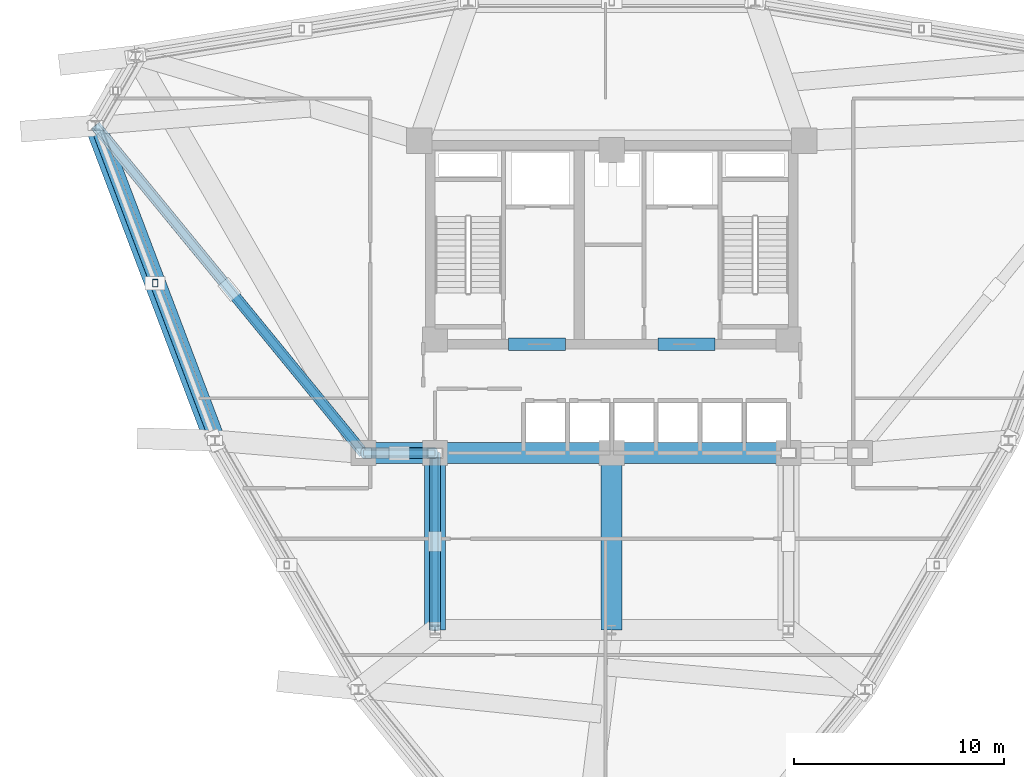
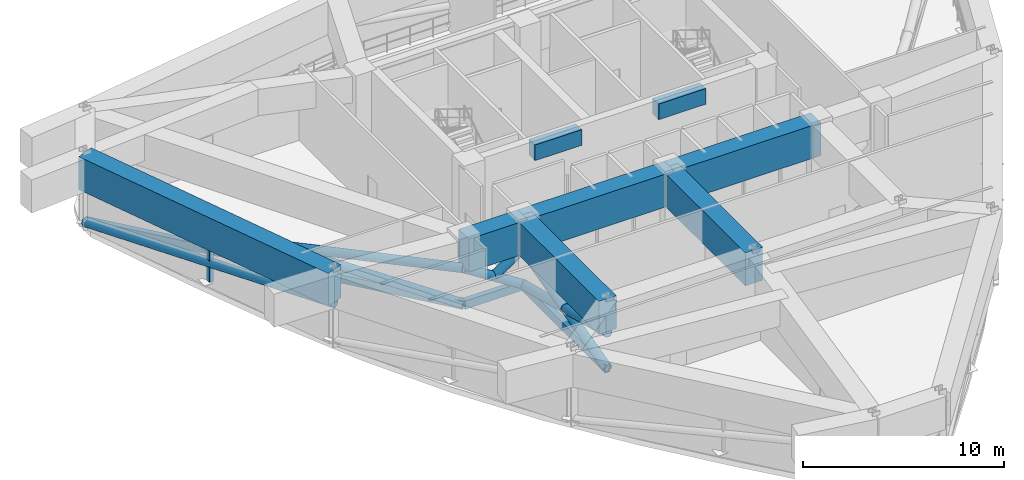
# One storey, part 3 of 13: 12 members, 8 beams.
"""IFC4 building model written with IfcOpenShell, lengths in metres."""

from ifc_helpers import new_model, si_unit, derived_unit, direction, frame, origin, origin_2d, place, context, subcontext, project, spatial, rectangle, hollow_rectangle, hollow_circle, extrude, source, transform, mapped, material, material_profile, profile_set, type_object, element, save


model = new_model("IFC4")

# Units and contexts
model_context = context("Model", 3, precision=1e-05, world=origin(), true_north=direction((0.0, 1.0)))
body_context = subcontext(model_context, "Body", "Model", "MODEL_VIEW")
ifc_project = project(units=[si_unit("LENGTHUNIT", "METRE"), si_unit("AREAUNIT", "SQUARE_METRE"), si_unit("VOLUMEUNIT", "CUBIC_METRE"), si_unit("PLANEANGLEUNIT", "RADIAN"), si_unit("MASSUNIT", "GRAM", prefix="KILO"), derived_unit("THERMALTRANSMITTANCEUNIT", [(si_unit("POWERUNIT", "WATT"), 1), (si_unit("LENGTHUNIT", "METRE"), -2), (si_unit("THERMODYNAMICTEMPERATUREUNIT", "KELVIN"), -1)])], contexts=[model_context])

# Site, building, storey
site_placement = place(None, origin())
site = spatial("IfcSite", under=ifc_project, at=site_placement, CompositionType="ELEMENT")
building_placement = place(site_placement, origin())
building = spatial("IfcBuilding", under=site, at=building_placement, Name="Korsvarv Bourse and Concert Hall", CompositionType="ELEMENT")
storey_placement = place(building_placement, frame((0.0, 0.0, 131.39990234375)))
storey = spatial("IfcBuildingStorey", under=building, at=storey_placement, Name="L33", CompositionType="ELEMENT", Elevation=131.39990234375)

# Beams
ifc_material_1 = material(Name="Concrete C55/67", Category="concrete")
ifc_material_profile_1 = material_profile(ifc_material_1, rectangle(XDim=0.60009765625, YDim=0.949951171875, at=origin_2d()), Name="RC-BM 600x950")
ifc_profile_set_1 = profile_set([ifc_material_profile_1], Name="Concrete C55/67")
beam_type_1 = type_object("IfcBeamType", Name="BM-CPL", PredefinedType="LINTEL", material=ifc_profile_set_1)
shared_shape_1 = source(origin(), body_context, "Body", "SweptSolid", [
    extrude(rectangle(XDim=0.60009765625, YDim=0.949951171875, at=origin_2d()), origin(), (0.0, 0.0, 1.0), 2.699951171875),
])
for number, where, z_axis, x_axis, name in (
    (1, (31.10009765625, 37.574951171875, 4.125), (1.0, 0.0, 0.0), (0.0, 1.0, 0.0), "L33 Core Coupling Beam West"),
    (2, (38.199951171875, 37.574951171875, 4.125), (1.0, 0.0, 0.0), (0.0, 1.0, 0.0), "L33 Core Coupling Beam East"),
):
    element("IfcBeam", number, at=place(storey_placement, frame(where, z_axis=z_axis, x_axis=x_axis)), inside=storey, type_object=beam_type_1, Name=name, PredefinedType="LINTEL", context=body_context, shape_type="MappedRepresentation", body=[
        mapped(shared_shape_1, transform((0.0, 0.0, 0.0), scale=1.0)),
    ])
ifc_material_2 = material(Name="Concrete C60/75", Category="concrete")
ifc_material_profile_2 = material_profile(ifc_material_2, rectangle(XDim=1.0, YDim=2.0, at=origin_2d()), Name="RC-BM 1000x2000")
ifc_profile_set_2 = profile_set([ifc_material_profile_2], Name="Concrete C60/75")
beam_type_2 = type_object("IfcBeamType", Name="BM-TR1", PredefinedType="BEAM", material=ifc_profile_set_2)
shared_shape_2 = source(origin(), body_context, "Body", "SweptSolid", [
    extrude(rectangle(XDim=1.0, YDim=2.0, at=origin_2d()), origin(), (0.0, 0.0, 1.0), 8.39990234375),
])
for number, where, z_axis, x_axis, name in (
    (3, (27.60009765625, 32.39990234375, 3.570068359375), (1.0, 0.0, 0.0), (0.0, 1.0, 0.0), "L33 beam B-TR1"),
    (4, (36.0, 32.39990234375, 3.570068359375), (1.0, 0.0, 0.0), (0.0, 1.0, 0.0), "L33 beam B-TR1"),
    (5, (27.60009765625, 24.0, 3.570068359375), (0.0, 1.0, 0.0), (-1.0, 0.0, 0.0), "L33 beam B-TR1"),
    (6, (36.0, 24.0, 3.570068359375), (0.0, 1.0, 0.0), (-1.0, 0.0, 0.0), "L33 beam B-TR1"),
):
    element("IfcBeam", number, at=place(storey_placement, frame(where, z_axis=z_axis, x_axis=x_axis)), inside=storey, type_object=beam_type_2, Name=name, PredefinedType="BEAM", context=body_context, shape_type="MappedRepresentation", body=[
        mapped(shared_shape_2, transform((0.0, 0.0, 0.0), scale=1.0)),
    ])
shared_shape_3 = source(origin(), body_context, "Body", "SweptSolid", [
    extrude(rectangle(XDim=1.0, YDim=2.0, at=origin_2d()), origin(), (0.0, 0.0, 1.0), 3.400146484375),
])
beam_1_placement = place(storey_placement, frame((24.199951171875, 32.39990234375, 3.570068359375), z_axis=(1.0, 0.0, 0.0), x_axis=(0.0, 1.0, 0.0)))
element("IfcBeam", 7, at=beam_1_placement, inside=storey, type_object=beam_type_2, Name="L33 beam B-TR1", PredefinedType="BEAM", context=body_context, shape_type="MappedRepresentation", body=[
    mapped(shared_shape_3, transform((0.0, 0.0, 0.0), scale=1.0)),
])

# Members
ifc_material_3 = material(Name="Steel S460", Category="steel")
ifc_material_profile_3 = material_profile(ifc_material_3, hollow_rectangle(XDim=0.300048828125, YDim=0.5, WallThickness=0.02001953125, at=origin_2d()), Name="RHS 500x300x20")
ifc_profile_set_3 = profile_set([ifc_material_profile_3], Name="Steel S460")
member_type_1 = type_object("IfcMemberType", Name="MEM-RHS500", PredefinedType="CHORD", material=ifc_profile_set_3)
shared_shape_4 = source(origin(), body_context, "Body", "SweptSolid", [
    extrude(hollow_rectangle(XDim=0.300048828125, YDim=0.5, WallThickness=0.02001953125, at=origin_2d()), origin(), (0.0, 0.0, 1.0), 3.400146484375),
])
member_1_placement = place(storey_placement, frame((27.60009765625, 32.39990234375, 0.35009765625), z_axis=(-1.0, 0.0, 0.0), x_axis=(0.0, -1.0, 0.0)))
element("IfcMember", 8, at=member_1_placement, inside=storey, type_object=member_type_1, Name="L33 Outrigger Truss W1 Bottom Chord", PredefinedType="CHORD", context=body_context, shape_type="MappedRepresentation", body=[
    mapped(shared_shape_4, transform((0.0, 0.0, 0.0), scale=1.0)),
])
shared_shape_5 = source(origin(), body_context, "Body", "SweptSolid", [
    extrude(hollow_rectangle(XDim=0.300048828125, YDim=0.5, WallThickness=0.02001953125, at=origin_2d()), origin(), (0.0, 0.0, 1.0), 8.39990234375),
])
member_2_placement = place(storey_placement, frame((27.60009765625, 32.39990234375, 0.35009765625), z_axis=(0.0, -1.0, 0.0), x_axis=(1.0, 0.0, 0.0)))
element("IfcMember", 9, at=member_2_placement, inside=storey, type_object=member_type_1, Name="L33 Outrigger Truss S1 Bottom Chord", PredefinedType="CHORD", context=body_context, shape_type="MappedRepresentation", body=[
    mapped(shared_shape_5, transform((0.0, 0.0, 0.0), scale=1.0)),
])

# Beam
shared_shape_6 = source(origin(), body_context, "Body", "SweptSolid", [
    extrude(rectangle(XDim=1.0, YDim=2.0, at=origin_2d()), origin(), (0.0, 0.0, 1.0), 16.0146484375),
])
beam_2_placement = place(storey_placement, frame((11.458251953125, 47.966064453125, 3.570068359375), z_axis=(0.354515902653, -0.93504998517, 0.0), x_axis=(0.93504998517, 0.354515902653, 0.0)))
element("IfcBeam", 10, at=beam_2_placement, inside=storey, type_object=beam_type_2, Name="L33 beam B-TR1", PredefinedType="BEAM", context=body_context, shape_type="MappedRepresentation", body=[
    mapped(shared_shape_6, transform((0.0, 0.0, 0.0), scale=1.0)),
])

# Members
ifc_material_profile_4 = material_profile(ifc_material_3, hollow_circle(Radius=0.25390625, WallThickness=0.02001953125, at=origin_2d()), Name="CHS 508x20")
ifc_profile_set_4 = profile_set([ifc_material_profile_4], Name="Steel S460")
member_type_2 = type_object("IfcMemberType", Name="MEM-CHS508", PredefinedType="BRACE", material=ifc_profile_set_4)
shared_shape_7 = source(origin(), body_context, "Body", "SweptSolid", [
    extrude(hollow_circle(Radius=0.25390625, WallThickness=0.02001953125, at=origin_2d()), origin(), (0.0, 0.0, 1.0), 4.033447265625),
])
member_3_placement = place(storey_placement, frame((27.60009765625, 32.39990234375, 0.35009765625), z_axis=(-0.842965426826, 0.0, 0.537967739903), x_axis=(0.0, -1.0, 0.0)))
element("IfcMember", 11, at=member_3_placement, inside=storey, type_object=member_type_2, Name="L33 Outrigger Truss W1 Diagonal 1", PredefinedType="BRACE", context=body_context, shape_type="MappedRepresentation", body=[
    mapped(shared_shape_7, transform((0.0, 0.0, 0.0), scale=1.0)),
])
shared_shape_8 = source(origin(), body_context, "Body", "SweptSolid", [
    extrude(hollow_circle(Radius=0.25390625, WallThickness=0.02001953125, at=origin_2d()), origin(), (0.0, 0.0, 1.0), 2.016845703125),
])
member_4_placement = place(storey_placement, frame((25.89990234375, 32.39990234375, 1.43505859375), z_axis=(0.842982942684, 0.0, 0.537940292546), x_axis=(0.0, 1.0, 0.0)))
element("IfcMember", 12, at=member_4_placement, inside=storey, type_object=member_type_2, Name="L33 Outrigger Truss W1 Split Diagonal 2B", PredefinedType="BRACE", context=body_context, shape_type="MappedRepresentation", body=[
    mapped(shared_shape_8, transform((0.0, 0.0, 0.0), scale=1.0)),
])
shared_shape_9 = source(origin(), body_context, "Body", "SweptSolid", [
    extrude(hollow_rectangle(XDim=0.300048828125, YDim=0.5, WallThickness=0.02001953125, at=origin_2d()), origin(), (0.0, 0.0, 1.0), 20.115966796875),
])
member_5_placement = place(storey_placement, frame((24.199951171875, 32.39990234375, 0.35009765625), z_axis=(-0.63340894884, 0.773817228762, 0.0), x_axis=(-0.773817228762, -0.63340894884, 0.0)))
element("IfcMember", 13, at=member_5_placement, inside=storey, type_object=member_type_1, Name="L33 Outrigger Truss W2 Bottom Chord", PredefinedType="CHORD", context=body_context, shape_type="MappedRepresentation", body=[
    mapped(shared_shape_9, transform((0.0, 0.0, 0.0), scale=1.0)),
])
shared_shape_10 = source(origin(), body_context, "Body", "SweptSolid", [
    extrude(hollow_circle(Radius=0.25390625, WallThickness=0.02001953125, at=origin_2d()), origin(), (0.0, 0.0, 1.0), 20.232666015625),
])
member_6_placement = place(storey_placement, frame((24.199951171875, 32.39990234375, 0.35009765625), z_axis=(-0.629755642593, 0.76935409113, 0.107247904797), x_axis=(-0.773817228762, -0.63340894884, 0.0)))
element("IfcMember", 14, at=member_6_placement, inside=storey, type_object=member_type_2, Name="L33 Outrigger Truss W2 Diagonal 1", PredefinedType="BRACE", context=body_context, shape_type="MappedRepresentation", body=[
    mapped(shared_shape_10, transform((0.0, 0.0, 0.0), scale=1.0)),
])
shared_shape_11 = source(origin(), body_context, "Body", "SweptSolid", [
    extrude(hollow_circle(Radius=0.25390625, WallThickness=0.02001953125, at=origin_2d()), origin(), (0.0, 0.0, 1.0), 10.116455078125),
])
member_7_placement = place(storey_placement, frame((17.8291015625, 40.18310546875, 1.43505859375), z_axis=(0.629749796302, -0.769359015371, 0.107246909169), x_axis=(0.77382209798, 0.633403000213, 0.0)))
element("IfcMember", 15, at=member_7_placement, inside=storey, type_object=member_type_2, Name="L33 Outrigger Truss W2 Split Diagonal 2B", PredefinedType="BRACE", context=body_context, shape_type="MappedRepresentation", body=[
    mapped(shared_shape_11, transform((0.0, 0.0, 0.0), scale=1.0)),
])
shared_shape_12 = source(origin(), body_context, "Body", "SweptSolid", [
    extrude(hollow_circle(Radius=0.25390625, WallThickness=0.02001953125, at=origin_2d()), origin(), (0.0, 0.0, 1.0), 8.675537109375),
])
member_8_placement = place(storey_placement, frame((27.60009765625, 32.39990234375, 0.35009765625), z_axis=(0.0, -0.968215796223, 0.250116316829), x_axis=(1.0, 0.0, 0.0)))
element("IfcMember", 16, at=member_8_placement, inside=storey, type_object=member_type_2, Name="L33 Outrigger Truss S1 Diagonal 1", PredefinedType="BRACE", context=body_context, shape_type="MappedRepresentation", body=[
    mapped(shared_shape_12, transform((0.0, 0.0, 0.0), scale=1.0)),
])
shared_shape_13 = source(origin(), body_context, "Body", "SweptSolid", [
    extrude(hollow_circle(Radius=0.25390625, WallThickness=0.02001953125, at=origin_2d()), origin(), (0.0, 0.0, 1.0), 4.337890625),
])
for number, where, z_axis, x_axis, name in (
    (17, (27.60009765625, 24.0, 0.35009765625), (0.0, 0.968215796223, 0.250116316829), (-1.0, 0.0, 0.0), "L33 Outrigger Truss S1 Split Diagonal 2A"),
    (18, (27.60009765625, 28.199951171875, 1.43505859375), (0.0, 0.968215796223, 0.250116316829), (-1.0, 0.0, 0.0), "L33 Outrigger Truss S1 Split Diagonal 2B"),
):
    element("IfcMember", number, at=place(storey_placement, frame(where, z_axis=z_axis, x_axis=x_axis)), inside=storey, type_object=member_type_2, Name=name, PredefinedType="BRACE", context=body_context, shape_type="MappedRepresentation", body=[
        mapped(shared_shape_13, transform((0.0, 0.0, 0.0), scale=1.0)),
    ])
ifc_material_4 = material(Name="Steel S355", Category="steel")
ifc_material_profile_5 = material_profile(ifc_material_4, hollow_rectangle(XDim=0.25, YDim=0.35009765625, WallThickness=0.012451171875, at=origin_2d()), Name="RHS 350x250x12.5")
ifc_profile_set_5 = profile_set([ifc_material_profile_5], Name="Steel S355")
member_type_3 = type_object("IfcMemberType", Name="MEM-RHS350", PredefinedType="STRUT", material=ifc_profile_set_5)
shared_shape_14 = source(origin(), body_context, "Body", "SweptSolid", [
    extrude(hollow_rectangle(XDim=0.25, YDim=0.35009765625, WallThickness=0.012451171875, at=origin_2d()), origin(), (0.0, 0.0, 1.0), 2.169921875),
])
member_9_placement = place(storey_placement, frame((14.296875, 40.478759765625, 0.35009765625), z_axis=(0.0, 0.0, 1.0), x_axis=(1.0, 0.0, 0.0)))
element("IfcMember", 19, at=member_9_placement, inside=storey, type_object=member_type_3, Name="L33 Perimeter Belt Truss Strut 6", PredefinedType="STRUT", context=body_context, shape_type="MappedRepresentation", body=[
    mapped(shared_shape_14, transform((0.0, 0.0, 0.0), scale=1.0)),
])
shared_shape_15 = source(origin(), body_context, "Body", "SweptSolid", [
    extrude(hollow_circle(Radius=0.25390625, WallThickness=0.02001953125, at=origin_2d()), origin(), (0.0, 0.0, 1.0), 16.1611328125),
])
member_10_placement = place(storey_placement, frame((11.458251953125, 47.966064453125, 0.35009765625), z_axis=(0.351305774056, -0.926583141581, 0.134268145337), x_axis=(0.93504998517, 0.354515902653, 0.0)))
element("IfcMember", 20, at=member_10_placement, inside=storey, type_object=member_type_2, Name="L33 Perimeter Belt Truss Diagonal 6", PredefinedType="BRACE", context=body_context, shape_type="MappedRepresentation", body=[
    mapped(shared_shape_15, transform((0.0, 0.0, 0.0), scale=1.0)),
])

save(model, "model.ifc")
